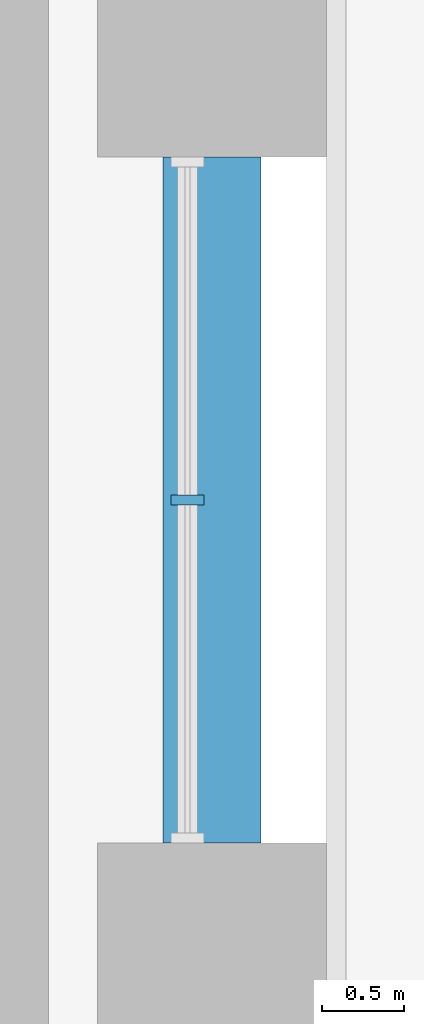
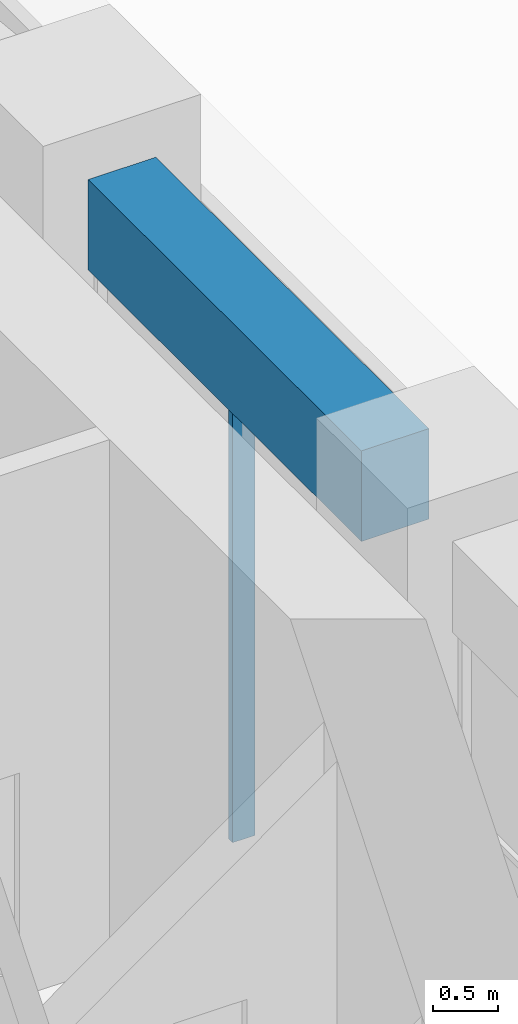
# One storey, part 7 of 27: 1 beam, 1 member, 1 element without a shape of its own.
"""IFC4 building model written with IfcOpenShell, lengths in metres."""

from ifc_helpers import new_model, si_unit, direction, frame, origin, origin_2d, place, context, subcontext, project, spatial, rectangle, extrude, material, layer, layer_set, material_profile, profile_set, type_object, element, aggregate, save


model = new_model("IFC4")

# Units and contexts
model_context = context("Model", 3, precision=1e-05, world=origin(), true_north=direction((0.0, 1.0)))
body_context = subcontext(model_context, "Body", "Model", "MODEL_VIEW")
ifc_project = project(units=[si_unit("LENGTHUNIT", "METRE"), si_unit("AREAUNIT", "SQUARE_METRE"), si_unit("VOLUMEUNIT", "CUBIC_METRE"), si_unit("PLANEANGLEUNIT", "RADIAN"), si_unit("MASSUNIT", "GRAM", prefix="KILO")], contexts=[model_context])

# Site, building, storey
site_placement = place(None, origin())
site = spatial("IfcSite", under=ifc_project, at=site_placement, CompositionType="ELEMENT")
building_placement = place(site_placement, origin())
building = spatial("IfcBuilding", under=site, at=building_placement, Name="Kiln Ring Residences", CompositionType="ELEMENT")
storey_placement = place(building_placement, frame((0.0, 0.0, 72.5)))
storey = spatial("IfcBuildingStorey", under=building, at=storey_placement, Name="L18", CompositionType="ELEMENT", Elevation=72.5)

# Curtain wall, member
ifc_material_1 = material(Name="Aluminium and glass", Category="aluminium")
ifc_layer = layer(ifc_material_1, 0.199951171875)
ifc_layer_set = layer_set([ifc_layer], Name="CW1 CURTAIN WALL")
curtain_wall_type = type_object("IfcCurtainWallType", Name="CW1 CURTAIN WALL", PredefinedType="NOTDEFINED", material=ifc_layer_set)
curtain_wall_placement = place(storey_placement, origin())
curtain_wall = element("IfcCurtainWall", 1, at=curtain_wall_placement, inside=storey, type_object=curtain_wall_type, Name="Curtain wall CW1 L18", PredefinedType="NOTDEFINED")
ifc_material_2 = material(Name="Aluminium 6063-T6", Category="aluminium")
ifc_material_profile_1 = material_profile(ifc_material_2, rectangle(XDim=0.199951171875, YDim=0.06005859375, at=origin_2d()), Name="AL 200x60")
ifc_profile_set_1 = profile_set([ifc_material_profile_1], Name="Aluminium 6063-T6")
member_type = type_object("IfcMemberType", Name="CW1 MULLION 200 x 60", PredefinedType="MULLION", material=ifc_profile_set_1)
member_placement = place(storey_placement, frame((27.85009765625, 8.39990234375, 0.0), z_axis=(0.0, 0.0, 1.0), x_axis=(-1.0, 0.0, 0.0)))
member = element("IfcMember", 2, at=member_placement, type_object=member_type, Name="CW1 mullion 2", PredefinedType="MULLION", context=body_context, shape_type="SweptSolid", body=[
    extrude(rectangle(XDim=0.199951171875, YDim=0.06005859375, at=origin_2d()), origin(), (0.0, 0.0, 1.0), 4.10009765625),
])
aggregate(curtain_wall, [member])

# Beam
ifc_material_3 = material(Name="Concrete C50/60", Category="concrete")
ifc_material_profile_2 = material_profile(ifc_material_3, rectangle(XDim=0.60009765625, YDim=0.85009765625, at=origin_2d()), Name="RC600x850")
ifc_profile_set_2 = profile_set([ifc_material_profile_2], Name="Concrete C50/60")
beam_type = type_object("IfcBeamType", Name="Spandrel beam RC600x850 C50/60", PredefinedType="SPANDREL", material=ifc_profile_set_2)
beam_placement = place(storey_placement, frame((28.0, 6.300048828125, 4.52490234375), z_axis=(0.0, 1.0, 0.0), x_axis=(-1.0, 0.0, 0.0)))
element("IfcBeam", 3, at=beam_placement, inside=storey, type_object=beam_type, Name="Spandrel beam L18 10", PredefinedType="SPANDREL", context=body_context, shape_type="SweptSolid", body=[
    extrude(rectangle(XDim=0.60009765625, YDim=0.85009765625, at=origin_2d()), origin(), (0.0, 0.0, 1.0), 4.199951171875),
])

save(model, "model.ifc")
